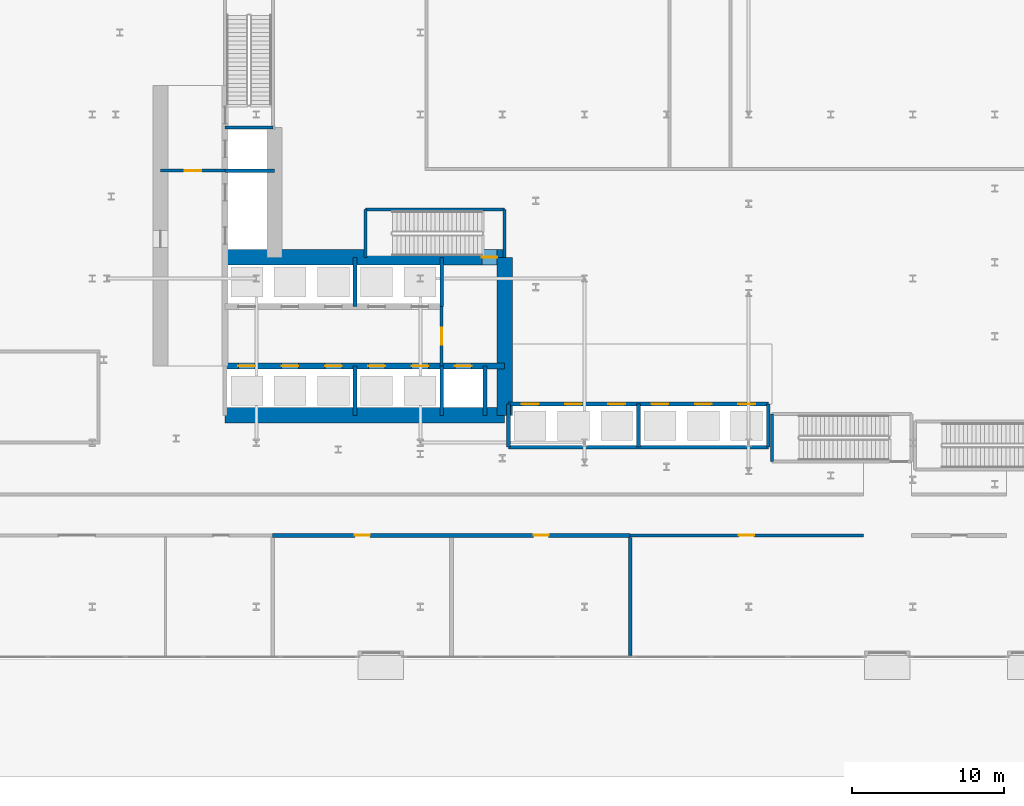
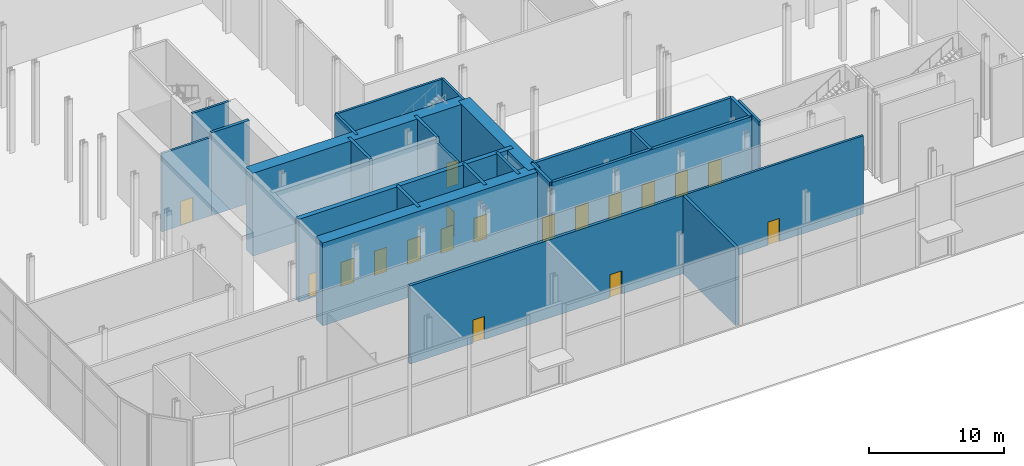
# One storey, part 24 of 46: 25 walls, 18 doors, 18 openings.
"""IFC4 building model written with IfcOpenShell, lengths in metres."""

from ifc_helpers import new_model, si_unit, direction, frame, frame_2d, origin, place, context, subcontext, project, spatial, rectangle, extrude, source, transform, mapped, material, layer, layer_set, type_object, element, fill, save


model = new_model("IFC4")

# Units and contexts
model_context = context("Model", 3, precision=1e-05, world=origin(), true_north=direction((0.0, 1.0)))
body_context = subcontext(model_context, "Body", "Model", "MODEL_VIEW")
ifc_project = project(units=[si_unit("LENGTHUNIT", "METRE"), si_unit("AREAUNIT", "SQUARE_METRE"), si_unit("VOLUMEUNIT", "CUBIC_METRE"), si_unit("PLANEANGLEUNIT", "RADIAN"), si_unit("MASSUNIT", "GRAM", prefix="KILO")], contexts=[model_context])

# Site, building, storey
site_placement = place(None, origin())
site = spatial("IfcSite", under=ifc_project, at=site_placement, CompositionType="ELEMENT")
building_placement = place(site_placement, origin())
building = spatial("IfcBuilding", under=site, at=building_placement, Name="Kheshtan School and Residences Tower", CompositionType="ELEMENT")
storey_placement = place(building_placement, origin())
storey = spatial("IfcBuildingStorey", under=building, at=storey_placement, Name="L00", CompositionType="ELEMENT", Elevation=0.0)

# Wall
ifc_material_1 = material(Name="Concrete C80/95", Category="concrete")
ifc_layer_1 = layer(ifc_material_1, 1.0)
ifc_layer_set_1 = layer_set([ifc_layer_1], Name="Core wall 1000 Concrete C80/95")
wall_type_1 = type_object("IfcWallType", Name="Core wall 1000 Concrete C80/95", PredefinedType="SHEAR", material=ifc_layer_set_1)
wall_1_placement = place(storey_placement, frame((34.75, 25.800048828125, 0.0), z_axis=(0.0, 0.0, 1.0), x_axis=(1.0, 0.0, 0.0)))
element("IfcWall", 1, at=wall_1_placement, inside=storey, type_object=wall_type_1, Name="Core wall CW-REAR-S", PredefinedType="SHEAR", context=body_context, shape_type="SweptSolid", body=[
    extrude(rectangle(XDim=18.39990234375, YDim=1.0, at=frame_2d((9.199951171875, 0.0))), origin(), (0.0, 0.0, 1.0), 7.5),
])

# Wall, opening, door
wall_2_placement = place(storey_placement, frame((34.75, 36.199951171875, 0.0), z_axis=(0.0, 0.0, 1.0), x_axis=(1.0, 0.0, 0.0)))
wall_2 = element("IfcWall", 2, at=wall_2_placement, inside=storey, type_object=wall_type_1, Name="Core wall CW-FRONT-S", PredefinedType="SHEAR", context=body_context, shape_type="SweptSolid", body=[
    extrude(rectangle(XDim=18.39990234375, YDim=1.0, at=frame_2d((9.199951171875, 0.0))), origin(), (0.0, 0.0, 1.0), 7.5),
])
opening_1_placement = place(wall_2_placement, frame((16.89990234375, 0.0, 0.0)))
opening_1 = element("IfcOpeningElement", 3, at=opening_1_placement, cuts=wall_2, Name="Opening ST1D", PredefinedType="OPENING", context=body_context, shape_type="SweptSolid", body=[
    extrude(rectangle(XDim=1.0, YDim=2.199951171875, at=frame_2d((0.5, 1.10009765625))), frame((0.0, 0.510009765625, 0.0), z_axis=(0.0, -1.0, 0.0), x_axis=(1.0, 0.0, 0.0)), (0.0, 0.0, 1.0), 1.02001953125),
])
ifc_material_2 = material(Name="Steel door leaf, galvanised", Category="steel")
door_type_1 = type_object("IfcDoorType", Name="Stair door 1100 steel 90 min", OperationType="SINGLE_SWING_LEFT", PredefinedType="DOOR", material=ifc_material_2)
shared_shape_1 = source(origin(), body_context, "Body", "SweptSolid", [
    extrude(rectangle(XDim=1.0, YDim=2.199951171875, at=frame_2d((0.5, 1.10009765625))), frame((0.0, 0.02490234375, 0.0), z_axis=(0.0, -1.0, 0.0), x_axis=(1.0, 0.0, 0.0)), (0.0, 0.0, 1.0), 0.050048828125),
])
door_1_placement = place(opening_1_placement, origin())
door_1 = element("IfcDoor", 4, at=door_1_placement, inside=storey, type_object=door_type_1, Name="Stair ST1 door", OperationType="SINGLE_SWING_RIGHT", OverallHeight=2.199951171875, OverallWidth=1.0, PredefinedType="DOOR", context=body_context, shape_type="MappedRepresentation", body=[
    mapped(shared_shape_1, transform((0.0, 0.0, 0.0), x_axis=(1.0, 0.0, 0.0), y_axis=(0.0, 1.0, 0.0), z_axis=(0.0, 0.0, 1.0), scale=1.0)),
])
fill(opening_1, door_1)

# Wall
wall_3_placement = place(storey_placement, frame((53.14990234375, 25.800048828125, 0.0), z_axis=(0.0, 0.0, 1.0), x_axis=(0.0, 1.0, 0.0)))
element("IfcWall", 5, at=wall_3_placement, inside=storey, type_object=wall_type_1, Name="Core wall CW-EAST", PredefinedType="SHEAR", context=body_context, shape_type="SweptSolid", body=[
    extrude(rectangle(XDim=10.39990234375, YDim=1.0, at=frame_2d((5.199951171875, 0.0))), origin(), (0.0, 0.0, 1.0), 7.5),
])

# Wall, openings, doors
ifc_material_3 = material(Name="Concrete C50/60", Category="concrete")
ifc_layer_2 = layer(ifc_material_3, 0.39990234375)
ifc_layer_set_2 = layer_set([ifc_layer_2], Name="Core wall 400 Concrete C50/60")
wall_type_2 = type_object("IfcWallType", Name="Core wall 400 Concrete C50/60", PredefinedType="SHEAR", material=ifc_layer_set_2)
wall_4_placement = place(storey_placement, frame((34.75, 29.050048828125, 0.0), z_axis=(0.0, 0.0, 1.0), x_axis=(1.0, 0.0, 0.0)))
wall_4 = element("IfcWall", 6, at=wall_4_placement, inside=storey, type_object=wall_type_2, Name="Core wall CW-HALL-S1", PredefinedType="SHEAR", context=body_context, shape_type="SweptSolid", body=[
    extrude(rectangle(XDim=18.39990234375, YDim=0.39990234375, at=frame_2d((9.199951171875, 0.0))), origin(), (0.0, 0.0, 1.0), 7.5),
])
opening_2_placement = place(wall_4_placement, frame((0.875, 0.0, 0.0)))
opening_2 = element("IfcOpeningElement", 7, at=opening_2_placement, cuts=wall_4, Name="Opening LD", PredefinedType="OPENING", context=body_context, shape_type="SweptSolid", body=[
    extrude(rectangle(XDim=1.10009765625, YDim=2.199951171875, at=frame_2d((0.550048828125, 1.10009765625))), frame((0.0, 0.2099609375, 0.0), z_axis=(0.0, -1.0, 0.0), x_axis=(1.0, 0.0, 0.0)), (0.0, 0.0, 1.0), 0.419921875),
])
opening_3_placement = place(wall_4_placement, frame((3.72509765625, 0.0, 0.0)))
opening_3 = element("IfcOpeningElement", 8, at=opening_3_placement, cuts=wall_4, Name="Opening LD", PredefinedType="OPENING", context=body_context, shape_type="SweptSolid", body=[
    extrude(rectangle(XDim=1.10009765625, YDim=2.199951171875, at=frame_2d((0.550048828125, 1.10009765625))), frame((0.0, 0.2099609375, 0.0), z_axis=(0.0, -1.0, 0.0), x_axis=(1.0, 0.0, 0.0)), (0.0, 0.0, 1.0), 0.419921875),
])
opening_4_placement = place(wall_4_placement, frame((6.574951171875, 0.0, 0.0)))
opening_4 = element("IfcOpeningElement", 9, at=opening_4_placement, cuts=wall_4, Name="Opening LD", PredefinedType="OPENING", context=body_context, shape_type="SweptSolid", body=[
    extrude(rectangle(XDim=1.10009765625, YDim=2.199951171875, at=frame_2d((0.550048828125, 1.10009765625))), frame((0.0, 0.2099609375, 0.0), z_axis=(0.0, -1.0, 0.0), x_axis=(1.0, 0.0, 0.0)), (0.0, 0.0, 1.0), 0.419921875),
])
opening_5_placement = place(wall_4_placement, frame((9.425048828125, 0.0, 0.0)))
opening_5 = element("IfcOpeningElement", 10, at=opening_5_placement, cuts=wall_4, Name="Opening LD", PredefinedType="OPENING", context=body_context, shape_type="SweptSolid", body=[
    extrude(rectangle(XDim=1.10009765625, YDim=2.199951171875, at=frame_2d((0.550048828125, 1.10009765625))), frame((0.0, 0.2099609375, 0.0), z_axis=(0.0, -1.0, 0.0), x_axis=(1.0, 0.0, 0.0)), (0.0, 0.0, 1.0), 0.419921875),
])
opening_6_placement = place(wall_4_placement, frame((12.27490234375, 0.0, 0.0)))
opening_6 = element("IfcOpeningElement", 11, at=opening_6_placement, cuts=wall_4, Name="Opening LD", PredefinedType="OPENING", context=body_context, shape_type="SweptSolid", body=[
    extrude(rectangle(XDim=1.10009765625, YDim=2.199951171875, at=frame_2d((0.550048828125, 1.10009765625))), frame((0.0, 0.2099609375, 0.0), z_axis=(0.0, -1.0, 0.0), x_axis=(1.0, 0.0, 0.0)), (0.0, 0.0, 1.0), 0.419921875),
])
opening_7_placement = place(wall_4_placement, frame((15.125, 0.0, 0.0)))
opening_7 = element("IfcOpeningElement", 12, at=opening_7_placement, cuts=wall_4, Name="Opening LD", PredefinedType="OPENING", context=body_context, shape_type="SweptSolid", body=[
    extrude(rectangle(XDim=1.10009765625, YDim=2.199951171875, at=frame_2d((0.550048828125, 1.10009765625))), frame((0.0, 0.2099609375, 0.0), z_axis=(0.0, -1.0, 0.0), x_axis=(1.0, 0.0, 0.0)), (0.0, 0.0, 1.0), 0.419921875),
])
ifc_material_4 = material(Name="Stainless steel door leaves", Category="steel")
door_type_2 = type_object("IfcDoorType", Name="Lift landing door 1100", OperationType="SLIDING_TO_LEFT", PredefinedType="DOOR", material=ifc_material_4)
shared_shape_2 = source(origin(), body_context, "Body", "SweptSolid", [
    extrude(rectangle(XDim=1.10009765625, YDim=2.199951171875, at=frame_2d((0.550048828125, 1.10009765625))), frame((0.0, 0.02490234375, 0.0), z_axis=(0.0, -1.0, 0.0), x_axis=(1.0, 0.0, 0.0)), (0.0, 0.0, 1.0), 0.050048828125),
])
door_2_placement = place(opening_2_placement, origin())
door_2 = element("IfcDoor", 13, at=door_2_placement, inside=storey, type_object=door_type_2, Name="Lift P7 landing door", OperationType="SLIDING_TO_LEFT", OverallHeight=2.199951171875, OverallWidth=1.10009765625, PredefinedType="DOOR", context=body_context, shape_type="MappedRepresentation", body=[
    mapped(shared_shape_2, transform((0.0, 0.0, 0.0), x_axis=(1.0, 0.0, 0.0), y_axis=(0.0, 1.0, 0.0), z_axis=(0.0, 0.0, 1.0), scale=1.0)),
])
fill(opening_2, door_2)
door_3_placement = place(opening_3_placement, origin())
door_3 = element("IfcDoor", 14, at=door_3_placement, inside=storey, type_object=door_type_2, Name="Lift P8 landing door", OperationType="SLIDING_TO_LEFT", OverallHeight=2.199951171875, OverallWidth=1.10009765625, PredefinedType="DOOR", context=body_context, shape_type="MappedRepresentation", body=[
    mapped(shared_shape_2, transform((0.0, 0.0, 0.0), x_axis=(1.0, 0.0, 0.0), y_axis=(0.0, 1.0, 0.0), z_axis=(0.0, 0.0, 1.0), scale=1.0)),
])
fill(opening_3, door_3)
door_4_placement = place(opening_4_placement, origin())
door_4 = element("IfcDoor", 15, at=door_4_placement, inside=storey, type_object=door_type_2, Name="Lift P9 landing door", OperationType="SLIDING_TO_LEFT", OverallHeight=2.199951171875, OverallWidth=1.10009765625, PredefinedType="DOOR", context=body_context, shape_type="MappedRepresentation", body=[
    mapped(shared_shape_2, transform((0.0, 0.0, 0.0), x_axis=(1.0, 0.0, 0.0), y_axis=(0.0, 1.0, 0.0), z_axis=(0.0, 0.0, 1.0), scale=1.0)),
])
fill(opening_4, door_4)
door_5_placement = place(opening_5_placement, origin())
door_5 = element("IfcDoor", 16, at=door_5_placement, inside=storey, type_object=door_type_2, Name="Lift P10 landing door", OperationType="SLIDING_TO_LEFT", OverallHeight=2.199951171875, OverallWidth=1.10009765625, PredefinedType="DOOR", context=body_context, shape_type="MappedRepresentation", body=[
    mapped(shared_shape_2, transform((0.0, 0.0, 0.0), x_axis=(1.0, 0.0, 0.0), y_axis=(0.0, 1.0, 0.0), z_axis=(0.0, 0.0, 1.0), scale=1.0)),
])
fill(opening_5, door_5)
door_6_placement = place(opening_6_placement, origin())
door_6 = element("IfcDoor", 17, at=door_6_placement, inside=storey, type_object=door_type_2, Name="Lift P11 landing door", OperationType="SLIDING_TO_LEFT", OverallHeight=2.199951171875, OverallWidth=1.10009765625, PredefinedType="DOOR", context=body_context, shape_type="MappedRepresentation", body=[
    mapped(shared_shape_2, transform((0.0, 0.0, 0.0), x_axis=(1.0, 0.0, 0.0), y_axis=(0.0, 1.0, 0.0), z_axis=(0.0, 0.0, 1.0), scale=1.0)),
])
fill(opening_6, door_6)
door_7_placement = place(opening_7_placement, origin())
door_7 = element("IfcDoor", 18, at=door_7_placement, inside=storey, type_object=door_type_2, Name="Lift FFL2 landing door", OperationType="SLIDING_TO_LEFT", OverallHeight=2.199951171875, OverallWidth=1.10009765625, PredefinedType="DOOR", context=body_context, shape_type="MappedRepresentation", body=[
    mapped(shared_shape_2, transform((0.0, 0.0, 0.0), x_axis=(1.0, 0.0, 0.0), y_axis=(0.0, 1.0, 0.0), z_axis=(0.0, 0.0, 1.0), scale=1.0)),
])
fill(opening_7, door_7)

# Wall, opening, door
ifc_material_5 = material(Name="Gypsum board on steel studs with fire boards", Category="steel")
ifc_layer_3 = layer(ifc_material_5, 0.199951171875)
ifc_layer_set_3 = layer_set([ifc_layer_3], Name="Corridor wall 200")
wall_type_3 = type_object("IfcWallType", Name="Corridor wall 200", PredefinedType="PARTITIONING", material=ifc_layer_set_3)
wall_5_placement = place(storey_placement, frame((61.412109375, 17.89990234375, 0.0), z_axis=(0.0, 0.0, 1.0), x_axis=(1.0, 0.0, 0.0)))
wall_5 = element("IfcWall", 19, at=wall_5_placement, inside=storey, type_object=wall_type_3, Name="Partition L00-038", PredefinedType="PARTITIONING", context=body_context, shape_type="SweptSolid", body=[
    extrude(rectangle(XDim=15.347900390625, YDim=0.199951171875, at=frame_2d((7.673828125, 0.0))), origin(), (0.0, 0.0, 1.0), 7.080078125),
])
opening_8_placement = place(wall_5_placement, frame((7.14990234375, 0.0, 0.0)))
opening_8 = element("IfcOpeningElement", 20, at=opening_8_placement, cuts=wall_5, Name="Opening D00-035", PredefinedType="OPENING", context=body_context, shape_type="SweptSolid", body=[
    extrude(rectangle(XDim=1.0, YDim=2.10009765625, at=frame_2d((0.5, 1.050048828125))), frame((0.0, 0.10986328125, 0.0), z_axis=(0.0, -1.0, 0.0), x_axis=(1.0, 0.0, 0.0)), (0.0, 0.0, 1.0), 0.219970703125),
])
ifc_material_6 = material(Name="Steel-framed fire-resisting door leaf", Category="steel")
door_type_3 = type_object("IfcDoorType", Name="Fire door FD60 1000 x 2100", OperationType="SINGLE_SWING_LEFT", PredefinedType="DOOR", material=ifc_material_6)
shared_shape_3 = source(origin(), body_context, "Body", "SweptSolid", [
    extrude(rectangle(XDim=1.0, YDim=2.10009765625, at=frame_2d((0.5, 1.050048828125))), frame((0.0, 0.02490234375, 0.0), z_axis=(0.0, -1.0, 0.0), x_axis=(1.0, 0.0, 0.0)), (0.0, 0.0, 1.0), 0.050048828125),
])
door_8_placement = place(opening_8_placement, origin())
door_8 = element("IfcDoor", 21, at=door_8_placement, inside=storey, type_object=door_type_3, Name="Door D00-035", OperationType="SINGLE_SWING_LEFT", OverallHeight=2.10009765625, OverallWidth=1.0, PredefinedType="DOOR", context=body_context, shape_type="MappedRepresentation", body=[
    mapped(shared_shape_3, transform((0.0, 0.0, 0.0), x_axis=(1.0, 0.0, 0.0), y_axis=(0.0, 1.0, 0.0), z_axis=(0.0, 0.0, 1.0), scale=1.0)),
])
fill(opening_8, door_8)

# Wall, openings, doors
ifc_material_7 = material(Name="Fire-board and steel stud wall with mineral wool", Category="steel")
ifc_layer_4 = layer(ifc_material_7, 0.25)
ifc_layer_set_4 = layer_set([ifc_layer_4], Name="Plant room wall 250")
wall_type_4 = type_object("IfcWallType", Name="Plant room wall 250", PredefinedType="PARTITIONING", material=ifc_layer_set_4)
wall_6_placement = place(storey_placement, frame((37.882080078125, 17.89990234375, 0.0), z_axis=(0.0, 0.0, 1.0), x_axis=(1.0, 0.0, 0.0)))
wall_6 = element("IfcWall", 22, at=wall_6_placement, inside=storey, type_object=wall_type_4, Name="Partition L00-019", PredefinedType="PARTITIONING", context=body_context, shape_type="SweptSolid", body=[
    extrude(rectangle(XDim=23.530029296875, YDim=0.25, at=frame_2d((11.76513671875, 0.0))), origin(), (0.0, 0.0, 1.0), 7.080078125),
])
opening_9_placement = place(wall_6_placement, frame((5.39990234375, 0.0, 0.0)))
opening_9 = element("IfcOpeningElement", 23, at=opening_9_placement, cuts=wall_6, Name="Opening D00-033", PredefinedType="OPENING", context=body_context, shape_type="SweptSolid", body=[
    extrude(rectangle(XDim=1.0, YDim=2.10009765625, at=frame_2d((0.5, 1.050048828125))), frame((0.0, 0.135009765625, 0.0), z_axis=(0.0, -1.0, 0.0), x_axis=(1.0, 0.0, 0.0)), (0.0, 0.0, 1.0), 0.27001953125),
])
opening_10_placement = place(wall_6_placement, frame((17.1650390625, 0.0, 0.0)))
opening_10 = element("IfcOpeningElement", 24, at=opening_10_placement, cuts=wall_6, Name="Opening D00-034", PredefinedType="OPENING", context=body_context, shape_type="SweptSolid", body=[
    extrude(rectangle(XDim=1.0, YDim=2.10009765625, at=frame_2d((0.5, 1.050048828125))), frame((0.0, 0.135009765625, 0.0), z_axis=(0.0, -1.0, 0.0), x_axis=(1.0, 0.0, 0.0)), (0.0, 0.0, 1.0), 0.27001953125),
])
door_type_4 = type_object("IfcDoorType", Name="Fire door FD120 1000 x 2100", OperationType="SINGLE_SWING_LEFT", PredefinedType="DOOR", material=ifc_material_6)
shared_shape_4 = source(origin(), body_context, "Body", "SweptSolid", [
    extrude(rectangle(XDim=1.0, YDim=2.10009765625, at=frame_2d((0.5, 1.050048828125))), frame((0.0, 0.02490234375, 0.0), z_axis=(0.0, -1.0, 0.0), x_axis=(1.0, 0.0, 0.0)), (0.0, 0.0, 1.0), 0.050048828125),
])
door_9_placement = place(opening_9_placement, origin())
door_9 = element("IfcDoor", 25, at=door_9_placement, inside=storey, type_object=door_type_4, Name="Door D00-033", OperationType="SINGLE_SWING_LEFT", OverallHeight=2.10009765625, OverallWidth=1.0, PredefinedType="DOOR", context=body_context, shape_type="MappedRepresentation", body=[
    mapped(shared_shape_4, transform((0.0, 0.0, 0.0), x_axis=(1.0, 0.0, 0.0), y_axis=(0.0, 1.0, 0.0), z_axis=(0.0, 0.0, 1.0), scale=1.0)),
])
fill(opening_9, door_9)
door_10_placement = place(opening_10_placement, origin())
door_10 = element("IfcDoor", 26, at=door_10_placement, inside=storey, type_object=door_type_4, Name="Door D00-034", OperationType="SINGLE_SWING_LEFT", OverallHeight=2.10009765625, OverallWidth=1.0, PredefinedType="DOOR", context=body_context, shape_type="MappedRepresentation", body=[
    mapped(shared_shape_4, transform((0.0, 0.0, 0.0), x_axis=(1.0, 0.0, 0.0), y_axis=(0.0, 1.0, 0.0), z_axis=(0.0, 0.0, 1.0), scale=1.0)),
])
fill(opening_10, door_10)

# Walls
wall_7_placement = place(storey_placement, frame((61.412109375, 10.0, 0.0), z_axis=(0.0, 0.0, 1.0), x_axis=(0.0, 1.0, 0.0)))
element("IfcWall", 27, at=wall_7_placement, inside=storey, type_object=wall_type_4, Name="Partition L00-037", PredefinedType="PARTITIONING", context=body_context, shape_type="SweptSolid", body=[
    extrude(rectangle(XDim=7.77490234375, YDim=0.25, at=frame_2d((3.887451171875, 0.0))), origin(), (0.0, 0.0, 1.0), 7.080078125),
])
ifc_material_8 = material(Name="Fire-board shaft wall system")
ifc_layer_5 = layer(ifc_material_8, 0.25)
ifc_layer_set_5 = layer_set([ifc_layer_5], Name="Shaft lining wall 250")
wall_type_5 = type_object("IfcWallType", Name="Shaft lining wall 250", PredefinedType="PARTITIONING", material=ifc_layer_set_5)
for number, where, z_axis, x_axis, name in (
    (28, (43.300048828125, 25.800048828125, 0.0), (0.0, 0.0, 1.0), (0.0, 1.0, 0.0), "Shaft lining wall"),
    (29, (43.300048828125, 32.949951171875, 0.0), (0.0, 0.0, 1.0), (0.0, 1.0, 0.0), "Shaft lining wall"),
    (30, (49.0, 25.800048828125, 0.0), (0.0, 0.0, 1.0), (0.0, 1.0, 0.0), "Shaft lining wall"),
    (31, (49.0, 32.949951171875, 0.0), (0.0, 0.0, 1.0), (0.0, 1.0, 0.0), "Shaft lining wall"),
    (32, (51.85009765625, 25.800048828125, 0.0), (0.0, 0.0, 1.0), (0.0, 1.0, 0.0), "Shaft lining wall"),
):
    element("IfcWall", number, at=place(storey_placement, frame(where, z_axis=z_axis, x_axis=x_axis)), inside=storey, type_object=wall_type_5, Name=name, PredefinedType="PARTITIONING", context=body_context, shape_type="SweptSolid", body=[
        extrude(rectangle(XDim=3.25, YDim=0.25, at=frame_2d((1.625, 0.0))), origin(), (0.0, 0.0, 1.0), 7.5),
    ])
for number, where, z_axis, x_axis, name in (
    (33, (53.39990234375, 23.699951171875, 0.0), (0.0, 0.0, 1.0), (0.0, 1.0, 0.0), "Shaft lining wall"),
    (34, (61.949951171875, 23.699951171875, 0.0), (0.0, 0.0, 1.0), (0.0, 1.0, 0.0), "Shaft lining wall"),
    (35, (70.5, 23.699951171875, 0.0), (0.0, 0.0, 1.0), (0.0, 1.0, 0.0), "Shaft lining wall"),
):
    element("IfcWall", number, at=place(storey_placement, frame(where, z_axis=z_axis, x_axis=x_axis)), inside=storey, type_object=wall_type_5, Name=name, PredefinedType="PARTITIONING", context=body_context, shape_type="SweptSolid", body=[
        extrude(rectangle(XDim=2.85009765625, YDim=0.25, at=frame_2d((1.425048828125, 0.0))), origin(), (0.0, 0.0, 1.0), 7.5),
    ])
wall_8_placement = place(storey_placement, frame((53.39990234375, 23.699951171875, 0.0), z_axis=(0.0, 0.0, 1.0), x_axis=(1.0, 0.0, 0.0)))
element("IfcWall", 36, at=wall_8_placement, inside=storey, type_object=wall_type_5, Name="Shaft lining wall", PredefinedType="PARTITIONING", context=body_context, shape_type="SweptSolid", body=[
    extrude(rectangle(XDim=17.10009765625, YDim=0.25, at=frame_2d((8.550048828125, 0.0))), origin(), (0.0, 0.0, 1.0), 7.5),
])

# Wall, openings, doors
wall_9_placement = place(storey_placement, frame((53.39990234375, 26.550048828125, 0.0), z_axis=(0.0, 0.0, 1.0), x_axis=(1.0, 0.0, 0.0)))
wall_9 = element("IfcWall", 37, at=wall_9_placement, inside=storey, type_object=wall_type_5, Name="Shaft lining wall", PredefinedType="PARTITIONING", context=body_context, shape_type="SweptSolid", body=[
    extrude(rectangle(XDim=17.10009765625, YDim=0.25, at=frame_2d((8.550048828125, 0.0))), origin(), (0.0, 0.0, 1.0), 7.5),
])
opening_11_placement = place(wall_9_placement, frame((0.875, 0.0, 0.0)))
opening_11 = element("IfcOpeningElement", 38, at=opening_11_placement, cuts=wall_9, Name="Opening LD", PredefinedType="OPENING", context=body_context, shape_type="SweptSolid", body=[
    extrude(rectangle(XDim=1.10009765625, YDim=2.199951171875, at=frame_2d((0.550048828125, 1.10009765625))), frame((0.0, 0.135009765625, 0.0), z_axis=(0.0, -1.0, 0.0), x_axis=(1.0, 0.0, 0.0)), (0.0, 0.0, 1.0), 0.27001953125),
])
opening_12_placement = place(wall_9_placement, frame((3.72509765625, 0.0, 0.0)))
opening_12 = element("IfcOpeningElement", 39, at=opening_12_placement, cuts=wall_9, Name="Opening LD", PredefinedType="OPENING", context=body_context, shape_type="SweptSolid", body=[
    extrude(rectangle(XDim=1.10009765625, YDim=2.199951171875, at=frame_2d((0.550048828125, 1.10009765625))), frame((0.0, 0.135009765625, 0.0), z_axis=(0.0, -1.0, 0.0), x_axis=(1.0, 0.0, 0.0)), (0.0, 0.0, 1.0), 0.27001953125),
])
opening_13_placement = place(wall_9_placement, frame((6.574951171875, 0.0, 0.0)))
opening_13 = element("IfcOpeningElement", 40, at=opening_13_placement, cuts=wall_9, Name="Opening LD", PredefinedType="OPENING", context=body_context, shape_type="SweptSolid", body=[
    extrude(rectangle(XDim=1.10009765625, YDim=2.199951171875, at=frame_2d((0.550048828125, 1.10009765625))), frame((0.0, 0.135009765625, 0.0), z_axis=(0.0, -1.0, 0.0), x_axis=(1.0, 0.0, 0.0)), (0.0, 0.0, 1.0), 0.27001953125),
])
opening_14_placement = place(wall_9_placement, frame((9.425048828125, 0.0, 0.0)))
opening_14 = element("IfcOpeningElement", 41, at=opening_14_placement, cuts=wall_9, Name="Opening LD", PredefinedType="OPENING", context=body_context, shape_type="SweptSolid", body=[
    extrude(rectangle(XDim=1.10009765625, YDim=2.199951171875, at=frame_2d((0.550048828125, 1.10009765625))), frame((0.0, 0.135009765625, 0.0), z_axis=(0.0, -1.0, 0.0), x_axis=(1.0, 0.0, 0.0)), (0.0, 0.0, 1.0), 0.27001953125),
])
opening_15_placement = place(wall_9_placement, frame((12.27490234375, 0.0, 0.0)))
opening_15 = element("IfcOpeningElement", 42, at=opening_15_placement, cuts=wall_9, Name="Opening LD", PredefinedType="OPENING", context=body_context, shape_type="SweptSolid", body=[
    extrude(rectangle(XDim=1.10009765625, YDim=2.199951171875, at=frame_2d((0.550048828125, 1.10009765625))), frame((0.0, 0.135009765625, 0.0), z_axis=(0.0, -1.0, 0.0), x_axis=(1.0, 0.0, 0.0)), (0.0, 0.0, 1.0), 0.27001953125),
])
opening_16_placement = place(wall_9_placement, frame((15.125, 0.0, 0.0)))
opening_16 = element("IfcOpeningElement", 43, at=opening_16_placement, cuts=wall_9, Name="Opening LD", PredefinedType="OPENING", context=body_context, shape_type="SweptSolid", body=[
    extrude(rectangle(XDim=1.10009765625, YDim=2.199951171875, at=frame_2d((0.550048828125, 1.10009765625))), frame((0.0, 0.135009765625, 0.0), z_axis=(0.0, -1.0, 0.0), x_axis=(1.0, 0.0, 0.0)), (0.0, 0.0, 1.0), 0.27001953125),
])
door_11_placement = place(opening_11_placement, origin())
door_11 = element("IfcDoor", 44, at=door_11_placement, inside=storey, type_object=door_type_2, Name="Lift P1 landing door", OperationType="SLIDING_TO_LEFT", OverallHeight=2.199951171875, OverallWidth=1.10009765625, PredefinedType="DOOR", context=body_context, shape_type="MappedRepresentation", body=[
    mapped(shared_shape_2, transform((0.0, 0.0, 0.0), x_axis=(1.0, 0.0, 0.0), y_axis=(0.0, 1.0, 0.0), z_axis=(0.0, 0.0, 1.0), scale=1.0)),
])
fill(opening_11, door_11)
door_12_placement = place(opening_12_placement, origin())
door_12 = element("IfcDoor", 45, at=door_12_placement, inside=storey, type_object=door_type_2, Name="Lift P2 landing door", OperationType="SLIDING_TO_LEFT", OverallHeight=2.199951171875, OverallWidth=1.10009765625, PredefinedType="DOOR", context=body_context, shape_type="MappedRepresentation", body=[
    mapped(shared_shape_2, transform((0.0, 0.0, 0.0), x_axis=(1.0, 0.0, 0.0), y_axis=(0.0, 1.0, 0.0), z_axis=(0.0, 0.0, 1.0), scale=1.0)),
])
fill(opening_12, door_12)
door_13_placement = place(opening_13_placement, origin())
door_13 = element("IfcDoor", 46, at=door_13_placement, inside=storey, type_object=door_type_2, Name="Lift P3 landing door", OperationType="SLIDING_TO_LEFT", OverallHeight=2.199951171875, OverallWidth=1.10009765625, PredefinedType="DOOR", context=body_context, shape_type="MappedRepresentation", body=[
    mapped(shared_shape_2, transform((0.0, 0.0, 0.0), x_axis=(1.0, 0.0, 0.0), y_axis=(0.0, 1.0, 0.0), z_axis=(0.0, 0.0, 1.0), scale=1.0)),
])
fill(opening_13, door_13)
door_14_placement = place(opening_14_placement, origin())
door_14 = element("IfcDoor", 47, at=door_14_placement, inside=storey, type_object=door_type_2, Name="Lift P4 landing door", OperationType="SLIDING_TO_LEFT", OverallHeight=2.199951171875, OverallWidth=1.10009765625, PredefinedType="DOOR", context=body_context, shape_type="MappedRepresentation", body=[
    mapped(shared_shape_2, transform((0.0, 0.0, 0.0), x_axis=(1.0, 0.0, 0.0), y_axis=(0.0, 1.0, 0.0), z_axis=(0.0, 0.0, 1.0), scale=1.0)),
])
fill(opening_14, door_14)
door_15_placement = place(opening_15_placement, origin())
door_15 = element("IfcDoor", 48, at=door_15_placement, inside=storey, type_object=door_type_2, Name="Lift P5 landing door", OperationType="SLIDING_TO_LEFT", OverallHeight=2.199951171875, OverallWidth=1.10009765625, PredefinedType="DOOR", context=body_context, shape_type="MappedRepresentation", body=[
    mapped(shared_shape_2, transform((0.0, 0.0, 0.0), x_axis=(1.0, 0.0, 0.0), y_axis=(0.0, 1.0, 0.0), z_axis=(0.0, 0.0, 1.0), scale=1.0)),
])
fill(opening_15, door_15)
door_16_placement = place(opening_16_placement, origin())
door_16 = element("IfcDoor", 49, at=door_16_placement, inside=storey, type_object=door_type_2, Name="Lift P6 landing door", OperationType="SLIDING_TO_LEFT", OverallHeight=2.199951171875, OverallWidth=1.10009765625, PredefinedType="DOOR", context=body_context, shape_type="MappedRepresentation", body=[
    mapped(shared_shape_2, transform((0.0, 0.0, 0.0), x_axis=(1.0, 0.0, 0.0), y_axis=(0.0, 1.0, 0.0), z_axis=(0.0, 0.0, 1.0), scale=1.0)),
])
fill(opening_16, door_16)

# Wall
wall_10_placement = place(storey_placement, frame((34.75, 41.89990234375, 0.0), z_axis=(0.0, 0.0, 1.0), x_axis=(1.0, 0.0, 0.0)))
element("IfcWall", 50, at=wall_10_placement, inside=storey, type_object=wall_type_5, Name="Shaft lining wall", PredefinedType="PARTITIONING", context=body_context, shape_type="SweptSolid", body=[
    extrude(rectangle(XDim=3.25, YDim=0.25, at=frame_2d((1.625, 0.0))), origin(), (0.0, 0.0, 1.0), 7.5),
])

# Wall, opening, door
wall_11_placement = place(storey_placement, frame((49.0, 29.050048828125, 0.0), z_axis=(0.0, 0.0, 1.0), x_axis=(0.0, 1.0, 0.0)))
wall_11 = element("IfcWall", 51, at=wall_11_placement, inside=storey, type_object=wall_type_5, Name="Firefighting lobby wall", PredefinedType="PARTITIONING", context=body_context, shape_type="SweptSolid", body=[
    extrude(rectangle(XDim=3.89990234375, YDim=0.199951171875, at=frame_2d((1.949951171875, 0.0))), origin(), (0.0, 0.0, 1.0), 7.080078125),
])
opening_17_placement = place(wall_11_placement, frame((1.39990234375, 0.0, 0.0)))
opening_17 = element("IfcOpeningElement", 52, at=opening_17_placement, cuts=wall_11, Name="Opening SD90", PredefinedType="OPENING", context=body_context, shape_type="SweptSolid", body=[
    extrude(rectangle(XDim=1.10009765625, YDim=2.199951171875, at=frame_2d((0.550048828125, 1.10009765625))), frame((0.0, 0.10986328125, 0.0), z_axis=(0.0, -1.0, 0.0), x_axis=(1.0, 0.0, 0.0)), (0.0, 0.0, 1.0), 0.219970703125),
])
shared_shape_5 = source(origin(), body_context, "Body", "SweptSolid", [
    extrude(rectangle(XDim=1.10009765625, YDim=2.199951171875, at=frame_2d((0.550048828125, 1.10009765625))), frame((0.0, 0.02490234375, 0.0), z_axis=(0.0, -1.0, 0.0), x_axis=(1.0, 0.0, 0.0)), (0.0, 0.0, 1.0), 0.050048828125),
])
door_17_placement = place(opening_17_placement, origin())
door_17 = element("IfcDoor", 53, at=door_17_placement, inside=storey, type_object=door_type_1, Name="Firefighting lobby door", OperationType="SINGLE_SWING_RIGHT", OverallHeight=2.199951171875, OverallWidth=1.10009765625, PredefinedType="DOOR", context=body_context, shape_type="MappedRepresentation", body=[
    mapped(shared_shape_5, transform((0.0, 0.0, 0.0), x_axis=(1.0, 0.0, 0.0), y_axis=(0.0, 1.0, 0.0), z_axis=(0.0, 0.0, 1.0), scale=1.0)),
])
fill(opening_17, door_17)

wall_12_placement = place(storey_placement, frame((30.5, 41.89990234375, 0.0), z_axis=(0.0, 0.0, 1.0), x_axis=(1.0, 0.0, 0.0)))
wall_12 = element("IfcWall", 54, at=wall_12_placement, inside=storey, type_object=wall_type_5, Name="Firefighting lobby wall", PredefinedType="PARTITIONING", context=body_context, shape_type="SweptSolid", body=[
    extrude(rectangle(XDim=4.25, YDim=0.199951171875, at=frame_2d((2.125, 0.0))), origin(), (0.0, 0.0, 1.0), 7.080078125),
])
opening_18_placement = place(wall_12_placement, frame((1.574951171875, 0.0, 0.0)))
opening_18 = element("IfcOpeningElement", 55, at=opening_18_placement, cuts=wall_12, Name="Opening SD90", PredefinedType="OPENING", context=body_context, shape_type="SweptSolid", body=[
    extrude(rectangle(XDim=1.10009765625, YDim=2.199951171875, at=frame_2d((0.550048828125, 1.10009765625))), frame((0.0, 0.10986328125, 0.0), z_axis=(0.0, -1.0, 0.0), x_axis=(1.0, 0.0, 0.0)), (0.0, 0.0, 1.0), 0.219970703125),
])
door_18_placement = place(opening_18_placement, origin())
door_18 = element("IfcDoor", 56, at=door_18_placement, inside=storey, type_object=door_type_1, Name="Firefighting lobby door", OperationType="SINGLE_SWING_LEFT", OverallHeight=2.199951171875, OverallWidth=1.10009765625, PredefinedType="DOOR", context=body_context, shape_type="MappedRepresentation", body=[
    mapped(shared_shape_5, transform((0.0, 0.0, 0.0), x_axis=(1.0, 0.0, 0.0), y_axis=(0.0, 1.0, 0.0), z_axis=(0.0, 0.0, 1.0), scale=1.0)),
])
fill(opening_18, door_18)

# Walls
ifc_material_9 = material(Name="Concrete C40/50", Category="concrete")
ifc_layer_6 = layer(ifc_material_9, 0.199951171875)
ifc_layer_set_6 = layer_set([ifc_layer_6], Name="Stair enclosure wall 200 Concrete C40/50")
wall_type_6 = type_object("IfcWallType", Name="Stair enclosure wall 200 Concrete C40/50", PredefinedType="SHEAR", material=ifc_layer_set_6)
wall_13_placement = place(storey_placement, frame((43.989990234375, 39.35009765625, 0.0), z_axis=(0.0, 0.0, 1.0), x_axis=(1.0, 0.0, 0.0)))
element("IfcWall", 57, at=wall_13_placement, inside=storey, type_object=wall_type_6, Name="Stair enclosure wall ST1", PredefinedType="SHEAR", context=body_context, shape_type="SweptSolid", body=[
    extrude(rectangle(XDim=9.159912109375, YDim=0.199951171875, at=frame_2d((4.580078125, 0.0))), origin(), (0.0, 0.0, 1.0), 7.5),
])
for number, where, z_axis, x_axis, name in (
    (58, (43.989990234375, 36.199951171875, 0.0), (0.0, 0.0, 1.0), (0.0, 1.0, 0.0), "Stair enclosure wall ST1"),
    (59, (53.14990234375, 36.199951171875, 0.0), (0.0, 0.0, 1.0), (0.0, 1.0, 0.0), "Stair enclosure wall ST1"),
):
    element("IfcWall", number, at=place(storey_placement, frame(where, z_axis=z_axis, x_axis=x_axis)), inside=storey, type_object=wall_type_6, Name=name, PredefinedType="SHEAR", context=body_context, shape_type="SweptSolid", body=[
        extrude(rectangle(XDim=3.150146484375, YDim=0.199951171875, at=frame_2d((1.5751953125, 0.0))), origin(), (0.0, 0.0, 1.0), 7.5),
    ])
for number, where, z_axis, x_axis, name in (
    (60, (34.75, 44.75, 0.0), (0.0, 0.0, 1.0), (1.0, 0.0, 0.0), "Stair enclosure wall ST2"),
    (61, (70.75, 22.75, 0.0), (0.0, 0.0, 1.0), (0.0, 1.0, 0.0), "Stair enclosure wall ST5"),
):
    element("IfcWall", number, at=place(storey_placement, frame(where, z_axis=z_axis, x_axis=x_axis)), inside=storey, type_object=wall_type_6, Name=name, PredefinedType="SHEAR", context=body_context, shape_type="SweptSolid", body=[
        extrude(rectangle(XDim=3.14990234375, YDim=0.199951171875, at=frame_2d((1.574951171875, 0.0))), origin(), (0.0, 0.0, 1.0), 7.5),
    ])

save(model, "model.ifc")
